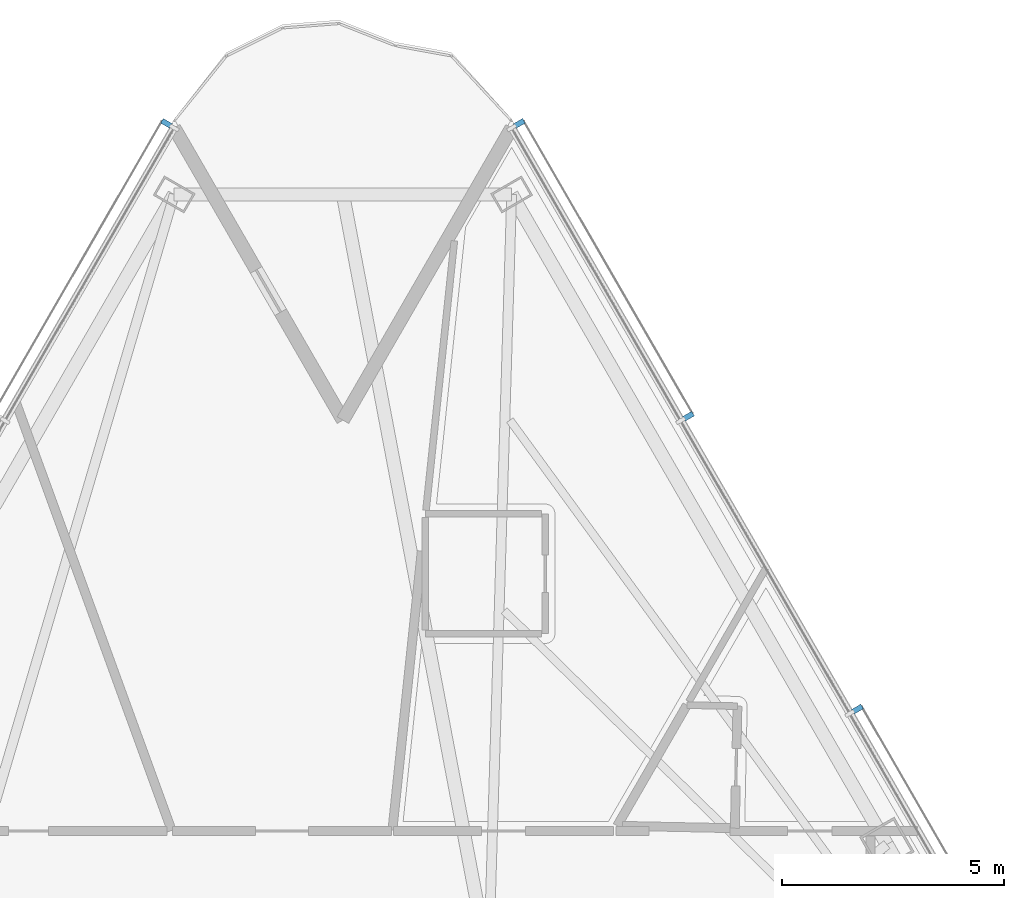
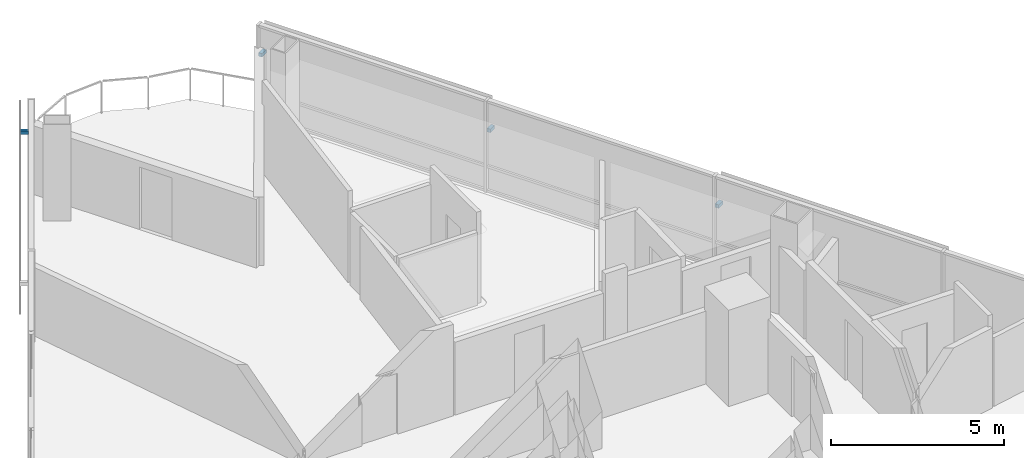
# One storey, part 13 of 17: 4 discrete accessories.
"""IFC4 building model written with IfcOpenShell, lengths in metres."""

from ifc_helpers import new_model, si_unit, direction, frame, origin, origin_2d, place, context, subcontext, project, spatial, rectangle, extrude, material, type_object, element, save


model = new_model("IFC4")

# Units and contexts
model_context = context("Model", 3, precision=1e-05, world=origin(), true_north=direction((0.0, 1.0)))
body_context = subcontext(model_context, "Body", "Model", "MODEL_VIEW")
ifc_project = project(units=[si_unit("LENGTHUNIT", "METRE"), si_unit("AREAUNIT", "SQUARE_METRE"), si_unit("VOLUMEUNIT", "CUBIC_METRE"), si_unit("PLANEANGLEUNIT", "RADIAN"), si_unit("MASSUNIT", "GRAM", prefix="KILO")], contexts=[model_context])

# Site, building, storey
site_placement = place(None, origin())
site = spatial("IfcSite", under=ifc_project, at=site_placement, CompositionType="ELEMENT")
building_placement = place(site_placement, origin())
building = spatial("IfcBuilding", under=site, at=building_placement, Name="Tharavind Bronze Gate", CompositionType="ELEMENT")
storey_placement = place(building_placement, frame((0.0, 0.0, 35.25)))
storey = spatial("IfcBuildingStorey", under=building, at=storey_placement, Name="L07", CompositionType="ELEMENT", Elevation=35.25)

# Discrete accessories
ifc_material = material(Name="Stainless Steel 316", Category="steel")
discrete_accessory_type = type_object("IfcDiscreteAccessoryType", Name="SOLAR SCREEN STANDOFF BRACKET", PredefinedType="BRACKET", material=ifc_material)
for number, where, z_axis, x_axis, name in (
    (1, (-3.97314453125, 26.518310546875, 2.00244140625), (0.0, 0.0, 1.0), (-0.500001511499, -0.866024531118, 0.0), "CW-L07-S1 solar screen bracket 1.1"),
    (2, (11.589111328125, 13.326904296875, 2.00244140625), (0.0, 0.0, 1.0), (-0.500001511499, 0.866024531118, 0.0), "CW-L07-S3 solar screen bracket 5.2"),
    (3, (7.78125, 19.922607421875, 2.00244140625), (0.0, 0.0, 1.0), (-0.500001511499, 0.866024531118, 0.0), "CW-L07-S3 solar screen bracket 7.1"),
    (4, (3.97314453125, 26.518310546875, 2.00244140625), (0.0, 0.0, 1.0), (-0.500001511499, 0.866024531118, 0.0), "CW-L07-S3 solar screen bracket 7.2"),
):
    element("IfcDiscreteAccessory", number, at=place(storey_placement, frame(where, z_axis=z_axis, x_axis=x_axis)), inside=storey, type_object=discrete_accessory_type, Name=name, PredefinedType="BRACKET", context=body_context, shape_type="SweptSolid", body=[
        extrude(rectangle(XDim=0.1201171875, YDim=0.239990234375, at=origin_2d()), origin(), (0.0, 0.0, 1.0), 0.1201171875),
    ])

save(model, "model.ifc")
